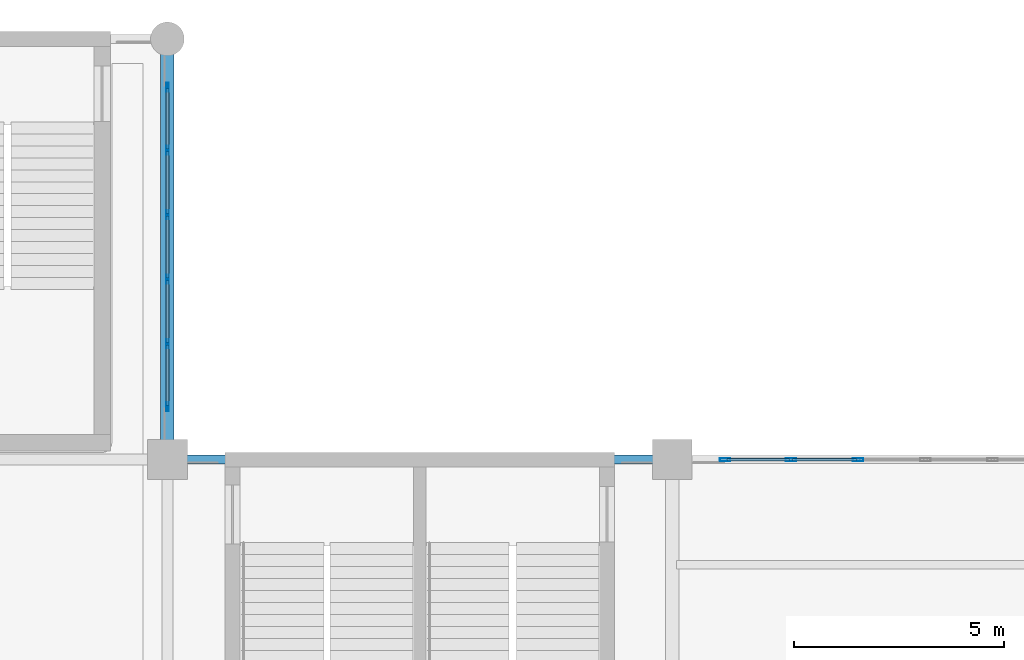
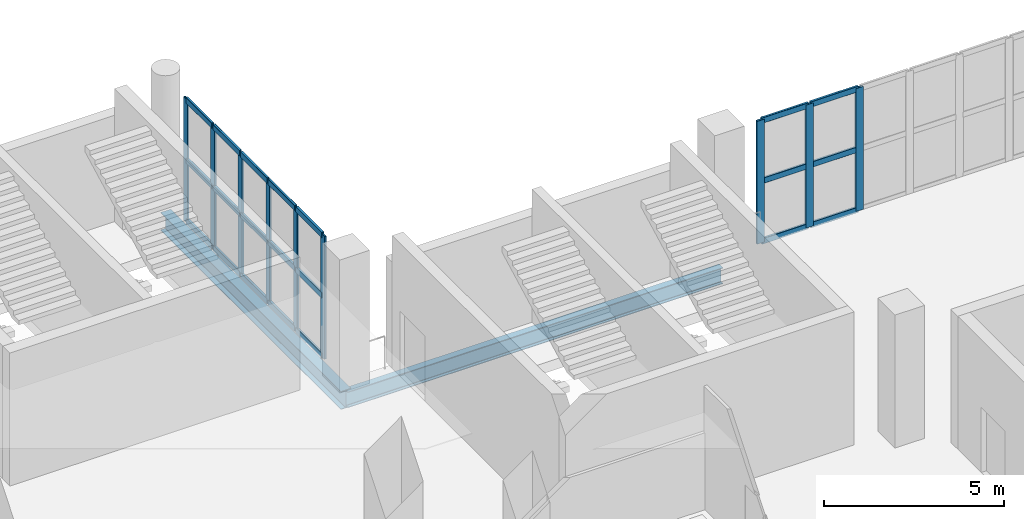
# One storey, part 46 of 90: 30 members, 2 beams, 2 elements without a shape of their own.
"""IFC4 building model written with IfcOpenShell, lengths in metres."""

from ifc_helpers import new_model, si_unit, direction, frame, origin, origin_2d, place, context, subcontext, project, spatial, hollow_rectangle, i_section, extrude, material, layer, layer_set, material_profile, profile_set, type_object, element, aggregate, save


model = new_model("IFC4")

# Units and contexts
model_context = context("Model", 3, precision=1e-05, world=origin(), true_north=direction((0.0, 1.0)))
body_context = subcontext(model_context, "Body", "Model", "MODEL_VIEW")
ifc_project = project(units=[si_unit("LENGTHUNIT", "METRE"), si_unit("AREAUNIT", "SQUARE_METRE"), si_unit("VOLUMEUNIT", "CUBIC_METRE"), si_unit("PLANEANGLEUNIT", "RADIAN"), si_unit("MASSUNIT", "GRAM", prefix="KILO")], contexts=[model_context])

# Site, building, storey
site_placement = place(None, origin())
site = spatial("IfcSite", under=ifc_project, at=site_placement, CompositionType="ELEMENT")
building_placement = place(site_placement, origin())
building = spatial("IfcBuilding", under=site, at=building_placement, Name="Brinegate Civic Arena", CompositionType="ELEMENT")
storey_placement = place(building_placement, frame((0.0, 0.0, 14.699951171875)))
storey = spatial("IfcBuildingStorey", under=building, at=storey_placement, Name="L03", CompositionType="ELEMENT", Elevation=14.699951171875)

# Curtain wall, members
ifc_material_1 = material(Name="Marine grade aluminium", Category="aluminium")
ifc_layer_1 = layer(ifc_material_1, 0.235107421875, Name="Marine grade aluminium")
ifc_layer_set_1 = layer_set([ifc_layer_1], Name="Marine grade aluminium")
curtain_wall_type_1 = type_object("IfcCurtainWallType", Name="CW-PORTAL-NORTH-01", PredefinedType="USERDEFINED", material=ifc_layer_set_1)
curtain_wall_1_placement = place(storey_placement, origin())
curtain_wall_1 = element("IfcCurtainWall", 1, at=curtain_wall_1_placement, inside=storey, type_object=curtain_wall_type_1, Name="Curtain Wall CWA-129", ObjectType="PORTAL CURTAIN WALL", PredefinedType="USERDEFINED")
ifc_material_profile_1 = material_profile(ifc_material_1, hollow_rectangle(XDim=0.06494140625, YDim=0.219970703125, WallThickness=0.006103515625, InnerFilletRadius=0.00390625, OuterFilletRadius=0.008056640625, at=origin_2d()), Name="MUL65X220")
ifc_profile_set_1 = profile_set([ifc_material_profile_1], Name="Marine grade aluminium")
member_type_1 = type_object("IfcMemberType", Name="CW-MULLION-65X220", PredefinedType="MULLION", material=ifc_profile_set_1)
member_1_placement = place(storey_placement, frame((132.0, 115.25439453125, 0.0), z_axis=(0.0, 0.0, 1.0), x_axis=(-1.0, 0.0, 0.0)))
member_1 = element("IfcMember", 2, at=member_1_placement, type_object=member_type_1, Name="CWA-129 mullion 1", PredefinedType="MULLION", context=body_context, shape_type="SweptSolid", body=[
    extrude(hollow_rectangle(XDim=0.06494140625, YDim=0.219970703125, WallThickness=0.006103515625, InnerFilletRadius=0.00390625, OuterFilletRadius=0.008056640625, at=origin_2d()), origin(), (0.0, 0.0, 1.0), 4.16015625),
])
member_2_placement = place(storey_placement, frame((132.0, 116.75439453125, 0.0), z_axis=(0.0, 0.0, 1.0), x_axis=(-1.0, 0.0, 0.0)))
member_2 = element("IfcMember", 3, at=member_2_placement, type_object=member_type_1, Name="CWA-129 mullion 2", PredefinedType="MULLION", context=body_context, shape_type="SweptSolid", body=[
    extrude(hollow_rectangle(XDim=0.06494140625, YDim=0.219970703125, WallThickness=0.006103515625, InnerFilletRadius=0.00390625, OuterFilletRadius=0.008056640625, at=origin_2d()), origin(), (0.0, 0.0, 1.0), 4.16015625),
])
member_3_placement = place(storey_placement, frame((132.0, 118.286865234375, 0.0), z_axis=(0.0, 0.0, 1.0), x_axis=(-1.0, 0.0, 0.0)))
member_3 = element("IfcMember", 4, at=member_3_placement, type_object=member_type_1, Name="CWA-129 mullion 3", PredefinedType="MULLION", context=body_context, shape_type="SweptSolid", body=[
    extrude(hollow_rectangle(XDim=0.06494140625, YDim=0.219970703125, WallThickness=0.006103515625, InnerFilletRadius=0.00390625, OuterFilletRadius=0.008056640625, at=origin_2d()), origin(), (0.0, 0.0, 1.0), 4.16015625),
])
member_4_placement = place(storey_placement, frame((132.0, 119.819091796875, 0.0), z_axis=(0.0, 0.0, 1.0), x_axis=(-1.0, 0.0, 0.0)))
member_4 = element("IfcMember", 5, at=member_4_placement, type_object=member_type_1, Name="CWA-129 mullion 4", PredefinedType="MULLION", context=body_context, shape_type="SweptSolid", body=[
    extrude(hollow_rectangle(XDim=0.06494140625, YDim=0.219970703125, WallThickness=0.006103515625, InnerFilletRadius=0.00390625, OuterFilletRadius=0.008056640625, at=origin_2d()), origin(), (0.0, 0.0, 1.0), 4.16015625),
])
member_5_placement = place(storey_placement, frame((132.0, 121.3515625, 0.0), z_axis=(0.0, 0.0, 1.0), x_axis=(-1.0, 0.0, 0.0)))
member_5 = element("IfcMember", 6, at=member_5_placement, type_object=member_type_1, Name="CWA-129 mullion 5", PredefinedType="MULLION", context=body_context, shape_type="SweptSolid", body=[
    extrude(hollow_rectangle(XDim=0.06494140625, YDim=0.219970703125, WallThickness=0.006103515625, InnerFilletRadius=0.00390625, OuterFilletRadius=0.008056640625, at=origin_2d()), origin(), (0.0, 0.0, 1.0), 4.16015625),
])
member_6_placement = place(storey_placement, frame((132.0, 122.8515625, 0.0), z_axis=(0.0, 0.0, 1.0), x_axis=(-1.0, 0.0, 0.0)))
member_6 = element("IfcMember", 7, at=member_6_placement, type_object=member_type_1, Name="CWA-129 mullion 6", PredefinedType="MULLION", context=body_context, shape_type="SweptSolid", body=[
    extrude(hollow_rectangle(XDim=0.06494140625, YDim=0.219970703125, WallThickness=0.006103515625, InnerFilletRadius=0.00390625, OuterFilletRadius=0.008056640625, at=origin_2d()), origin(), (0.0, 0.0, 1.0), 4.16015625),
])

ifc_layer_2 = layer(ifc_material_1, 0.199951171875, Name="Marine grade aluminium")
ifc_layer_set_2 = layer_set([ifc_layer_2], Name="Marine grade aluminium")
curtain_wall_type_2 = type_object("IfcCurtainWallType", Name="CW-BOWL-GLAZED-01", PredefinedType="USERDEFINED", material=ifc_layer_set_2)
curtain_wall_2_placement = place(storey_placement, origin())
curtain_wall_2 = element("IfcCurtainWall", 8, at=curtain_wall_2_placement, inside=storey, type_object=curtain_wall_type_2, Name="Curtain Wall CWA-132", ObjectType="GLAZED CURTAIN WALL", PredefinedType="USERDEFINED")
ifc_material_profile_2 = material_profile(ifc_material_1, hollow_rectangle(XDim=0.074951171875, YDim=0.25, WallThickness=0.006103515625, InnerFilletRadius=0.00390625, OuterFilletRadius=0.008056640625, at=origin_2d()), Name="MUL75X250")
ifc_profile_set_2 = profile_set([ifc_material_profile_2], Name="Marine grade aluminium")
member_type_2 = type_object("IfcMemberType", Name="CW-MULLION-75X250", PredefinedType="MULLION", material=ifc_profile_set_2)
member_7_placement = place(storey_placement, frame((145.259521484375, 114.0, 0.0), z_axis=(0.0, 0.0, 1.0), x_axis=(0.0, 1.0, 0.0)))
member_7 = element("IfcMember", 9, at=member_7_placement, type_object=member_type_2, Name="CWA-132 mullion 1", PredefinedType="MULLION", context=body_context, shape_type="SweptSolid", body=[
    extrude(hollow_rectangle(XDim=0.074951171875, YDim=0.25, WallThickness=0.006103515625, InnerFilletRadius=0.00390625, OuterFilletRadius=0.008056640625, at=origin_2d()), origin(), (0.0, 0.0, 1.0), 4.16015625),
])
member_8_placement = place(storey_placement, frame((146.820556640625, 114.0, 0.0), z_axis=(0.0, 0.0, 1.0), x_axis=(0.0, 1.0, 0.0)))
member_8 = element("IfcMember", 10, at=member_8_placement, type_object=member_type_2, Name="CWA-132 mullion 2", PredefinedType="MULLION", context=body_context, shape_type="SweptSolid", body=[
    extrude(hollow_rectangle(XDim=0.074951171875, YDim=0.25, WallThickness=0.006103515625, InnerFilletRadius=0.00390625, OuterFilletRadius=0.008056640625, at=origin_2d()), origin(), (0.0, 0.0, 1.0), 4.16015625),
])
member_9_placement = place(storey_placement, frame((148.41943359375, 114.0, 0.0), z_axis=(0.0, 0.0, 1.0), x_axis=(0.0, 1.0, 0.0)))
member_9 = element("IfcMember", 11, at=member_9_placement, type_object=member_type_2, Name="CWA-132 mullion 3", PredefinedType="MULLION", context=body_context, shape_type="SweptSolid", body=[
    extrude(hollow_rectangle(XDim=0.074951171875, YDim=0.25, WallThickness=0.006103515625, InnerFilletRadius=0.00390625, OuterFilletRadius=0.008056640625, at=origin_2d()), origin(), (0.0, 0.0, 1.0), 4.16015625),
])

# Member
ifc_material_profile_3 = material_profile(ifc_material_1, hollow_rectangle(XDim=0.074951171875, YDim=0.18994140625, WallThickness=0.006103515625, InnerFilletRadius=0.00390625, OuterFilletRadius=0.008056640625, at=origin_2d()), Name="TRN75X190")
ifc_profile_set_3 = profile_set([ifc_material_profile_3], Name="Marine grade aluminium")
member_type_3 = type_object("IfcMemberType", Name="CW-TRANSOM-75X190", PredefinedType="USERDEFINED", material=ifc_profile_set_3)
member_10_placement = place(storey_placement, frame((132.0, 115.287109375, 0.03759765625), z_axis=(0.0, 1.0, 0.0), x_axis=(-1.0, 0.0, 0.0)))
member_10 = element("IfcMember", 12, at=member_10_placement, type_object=member_type_3, Name="CWA-129 transom 1.1", ObjectType="TRANSOM", PredefinedType="USERDEFINED", context=body_context, shape_type="SweptSolid", body=[
    extrude(hollow_rectangle(XDim=0.074951171875, YDim=0.18994140625, WallThickness=0.006103515625, InnerFilletRadius=0.00390625, OuterFilletRadius=0.008056640625, at=origin_2d()), origin(), (0.0, 0.0, 1.0), 1.434814453125),
])

member_11_placement = place(storey_placement, frame((132.0, 115.287109375, 2.080078125), z_axis=(0.0, 1.0, 0.0), x_axis=(-1.0, 0.0, 0.0)))
member_11 = element("IfcMember", 13, at=member_11_placement, type_object=member_type_3, Name="CWA-129 transom 1.2", ObjectType="TRANSOM", PredefinedType="USERDEFINED", context=body_context, shape_type="SweptSolid", body=[
    extrude(hollow_rectangle(XDim=0.074951171875, YDim=0.18994140625, WallThickness=0.006103515625, InnerFilletRadius=0.00390625, OuterFilletRadius=0.008056640625, at=origin_2d()), origin(), (0.0, 0.0, 1.0), 1.434814453125),
])

member_12_placement = place(storey_placement, frame((132.0, 115.287109375, 4.12255859375), z_axis=(0.0, 1.0, 0.0), x_axis=(-1.0, 0.0, 0.0)))
member_12 = element("IfcMember", 14, at=member_12_placement, type_object=member_type_3, Name="CWA-129 transom 1.3", ObjectType="TRANSOM", PredefinedType="USERDEFINED", context=body_context, shape_type="SweptSolid", body=[
    extrude(hollow_rectangle(XDim=0.074951171875, YDim=0.18994140625, WallThickness=0.006103515625, InnerFilletRadius=0.00390625, OuterFilletRadius=0.008056640625, at=origin_2d()), origin(), (0.0, 0.0, 1.0), 1.434814453125),
])

member_13_placement = place(storey_placement, frame((132.0, 116.786865234375, 0.03759765625), z_axis=(0.0, 1.0, 0.0), x_axis=(-1.0, 0.0, 0.0)))
member_13 = element("IfcMember", 15, at=member_13_placement, type_object=member_type_3, Name="CWA-129 transom 2.1", ObjectType="TRANSOM", PredefinedType="USERDEFINED", context=body_context, shape_type="SweptSolid", body=[
    extrude(hollow_rectangle(XDim=0.074951171875, YDim=0.18994140625, WallThickness=0.006103515625, InnerFilletRadius=0.00390625, OuterFilletRadius=0.008056640625, at=origin_2d()), origin(), (0.0, 0.0, 1.0), 1.467529296875),
])

member_14_placement = place(storey_placement, frame((132.0, 116.786865234375, 2.080078125), z_axis=(0.0, 1.0, 0.0), x_axis=(-1.0, 0.0, 0.0)))
member_14 = element("IfcMember", 16, at=member_14_placement, type_object=member_type_3, Name="CWA-129 transom 2.2", ObjectType="TRANSOM", PredefinedType="USERDEFINED", context=body_context, shape_type="SweptSolid", body=[
    extrude(hollow_rectangle(XDim=0.074951171875, YDim=0.18994140625, WallThickness=0.006103515625, InnerFilletRadius=0.00390625, OuterFilletRadius=0.008056640625, at=origin_2d()), origin(), (0.0, 0.0, 1.0), 1.467529296875),
])

member_15_placement = place(storey_placement, frame((132.0, 116.786865234375, 4.12255859375), z_axis=(0.0, 1.0, 0.0), x_axis=(-1.0, 0.0, 0.0)))
member_15 = element("IfcMember", 17, at=member_15_placement, type_object=member_type_3, Name="CWA-129 transom 2.3", ObjectType="TRANSOM", PredefinedType="USERDEFINED", context=body_context, shape_type="SweptSolid", body=[
    extrude(hollow_rectangle(XDim=0.074951171875, YDim=0.18994140625, WallThickness=0.006103515625, InnerFilletRadius=0.00390625, OuterFilletRadius=0.008056640625, at=origin_2d()), origin(), (0.0, 0.0, 1.0), 1.467529296875),
])

member_16_placement = place(storey_placement, frame((132.0, 118.3193359375, 0.03759765625), z_axis=(0.0, 1.0, 0.0), x_axis=(-1.0, 0.0, 0.0)))
member_16 = element("IfcMember", 18, at=member_16_placement, type_object=member_type_3, Name="CWA-129 transom 3.1", ObjectType="TRANSOM", PredefinedType="USERDEFINED", context=body_context, shape_type="SweptSolid", body=[
    extrude(hollow_rectangle(XDim=0.074951171875, YDim=0.18994140625, WallThickness=0.006103515625, InnerFilletRadius=0.00390625, OuterFilletRadius=0.008056640625, at=origin_2d()), origin(), (0.0, 0.0, 1.0), 1.46728515625),
])

member_17_placement = place(storey_placement, frame((132.0, 118.3193359375, 2.080078125), z_axis=(0.0, 1.0, 0.0), x_axis=(-1.0, 0.0, 0.0)))
member_17 = element("IfcMember", 19, at=member_17_placement, type_object=member_type_3, Name="CWA-129 transom 3.2", ObjectType="TRANSOM", PredefinedType="USERDEFINED", context=body_context, shape_type="SweptSolid", body=[
    extrude(hollow_rectangle(XDim=0.074951171875, YDim=0.18994140625, WallThickness=0.006103515625, InnerFilletRadius=0.00390625, OuterFilletRadius=0.008056640625, at=origin_2d()), origin(), (0.0, 0.0, 1.0), 1.46728515625),
])

member_18_placement = place(storey_placement, frame((132.0, 118.3193359375, 4.12255859375), z_axis=(0.0, 1.0, 0.0), x_axis=(-1.0, 0.0, 0.0)))
member_18 = element("IfcMember", 20, at=member_18_placement, type_object=member_type_3, Name="CWA-129 transom 3.3", ObjectType="TRANSOM", PredefinedType="USERDEFINED", context=body_context, shape_type="SweptSolid", body=[
    extrude(hollow_rectangle(XDim=0.074951171875, YDim=0.18994140625, WallThickness=0.006103515625, InnerFilletRadius=0.00390625, OuterFilletRadius=0.008056640625, at=origin_2d()), origin(), (0.0, 0.0, 1.0), 1.46728515625),
])

member_19_placement = place(storey_placement, frame((132.0, 119.851806640625, 0.03759765625), z_axis=(0.0, 1.0, 0.0), x_axis=(-1.0, 0.0, 0.0)))
member_19 = element("IfcMember", 21, at=member_19_placement, type_object=member_type_3, Name="CWA-129 transom 4.1", ObjectType="TRANSOM", PredefinedType="USERDEFINED", context=body_context, shape_type="SweptSolid", body=[
    extrude(hollow_rectangle(XDim=0.074951171875, YDim=0.18994140625, WallThickness=0.006103515625, InnerFilletRadius=0.00390625, OuterFilletRadius=0.008056640625, at=origin_2d()), origin(), (0.0, 0.0, 1.0), 1.46728515625),
])

member_20_placement = place(storey_placement, frame((132.0, 119.851806640625, 2.080078125), z_axis=(0.0, 1.0, 0.0), x_axis=(-1.0, 0.0, 0.0)))
member_20 = element("IfcMember", 22, at=member_20_placement, type_object=member_type_3, Name="CWA-129 transom 4.2", ObjectType="TRANSOM", PredefinedType="USERDEFINED", context=body_context, shape_type="SweptSolid", body=[
    extrude(hollow_rectangle(XDim=0.074951171875, YDim=0.18994140625, WallThickness=0.006103515625, InnerFilletRadius=0.00390625, OuterFilletRadius=0.008056640625, at=origin_2d()), origin(), (0.0, 0.0, 1.0), 1.46728515625),
])

member_21_placement = place(storey_placement, frame((132.0, 119.851806640625, 4.12255859375), z_axis=(0.0, 1.0, 0.0), x_axis=(-1.0, 0.0, 0.0)))
member_21 = element("IfcMember", 23, at=member_21_placement, type_object=member_type_3, Name="CWA-129 transom 4.3", ObjectType="TRANSOM", PredefinedType="USERDEFINED", context=body_context, shape_type="SweptSolid", body=[
    extrude(hollow_rectangle(XDim=0.074951171875, YDim=0.18994140625, WallThickness=0.006103515625, InnerFilletRadius=0.00390625, OuterFilletRadius=0.008056640625, at=origin_2d()), origin(), (0.0, 0.0, 1.0), 1.46728515625),
])

member_22_placement = place(storey_placement, frame((132.0, 121.384033203125, 0.03759765625), z_axis=(0.0, 1.0, 0.0), x_axis=(-1.0, 0.0, 0.0)))
member_22 = element("IfcMember", 24, at=member_22_placement, type_object=member_type_3, Name="CWA-129 transom 5.1", ObjectType="TRANSOM", PredefinedType="USERDEFINED", context=body_context, shape_type="SweptSolid", body=[
    extrude(hollow_rectangle(XDim=0.074951171875, YDim=0.18994140625, WallThickness=0.006103515625, InnerFilletRadius=0.00390625, OuterFilletRadius=0.008056640625, at=origin_2d()), origin(), (0.0, 0.0, 1.0), 1.43505859375),
])

member_23_placement = place(storey_placement, frame((132.0, 121.384033203125, 2.080078125), z_axis=(0.0, 1.0, 0.0), x_axis=(-1.0, 0.0, 0.0)))
member_23 = element("IfcMember", 25, at=member_23_placement, type_object=member_type_3, Name="CWA-129 transom 5.2", ObjectType="TRANSOM", PredefinedType="USERDEFINED", context=body_context, shape_type="SweptSolid", body=[
    extrude(hollow_rectangle(XDim=0.074951171875, YDim=0.18994140625, WallThickness=0.006103515625, InnerFilletRadius=0.00390625, OuterFilletRadius=0.008056640625, at=origin_2d()), origin(), (0.0, 0.0, 1.0), 1.43505859375),
])

member_24_placement = place(storey_placement, frame((132.0, 121.384033203125, 4.12255859375), z_axis=(0.0, 1.0, 0.0), x_axis=(-1.0, 0.0, 0.0)))
member_24 = element("IfcMember", 26, at=member_24_placement, type_object=member_type_3, Name="CWA-129 transom 5.3", ObjectType="TRANSOM", PredefinedType="USERDEFINED", context=body_context, shape_type="SweptSolid", body=[
    extrude(hollow_rectangle(XDim=0.074951171875, YDim=0.18994140625, WallThickness=0.006103515625, InnerFilletRadius=0.00390625, OuterFilletRadius=0.008056640625, at=origin_2d()), origin(), (0.0, 0.0, 1.0), 1.43505859375),
])

aggregate(curtain_wall_1, [member_1, member_2, member_3, member_4, member_5, member_6, member_10, member_11, member_12, member_13, member_14, member_15, member_16, member_17, member_18, member_19, member_20, member_21, member_22, member_23, member_24])

member_25_placement = place(storey_placement, frame((145.297119140625, 114.0, 0.03759765625), z_axis=(1.0, 0.0, 0.0), x_axis=(0.0, 1.0, 0.0)))
member_25 = element("IfcMember", 27, at=member_25_placement, type_object=member_type_3, Name="CWA-132 transom 1.1", ObjectType="TRANSOM", PredefinedType="USERDEFINED", context=body_context, shape_type="SweptSolid", body=[
    extrude(hollow_rectangle(XDim=0.074951171875, YDim=0.18994140625, WallThickness=0.006103515625, InnerFilletRadius=0.00390625, OuterFilletRadius=0.008056640625, at=origin_2d()), origin(), (0.0, 0.0, 1.0), 1.486083984375),
])

member_26_placement = place(storey_placement, frame((145.297119140625, 114.0, 2.080078125), z_axis=(1.0, 0.0, 0.0), x_axis=(0.0, 1.0, 0.0)))
member_26 = element("IfcMember", 28, at=member_26_placement, type_object=member_type_3, Name="CWA-132 transom 1.2", ObjectType="TRANSOM", PredefinedType="USERDEFINED", context=body_context, shape_type="SweptSolid", body=[
    extrude(hollow_rectangle(XDim=0.074951171875, YDim=0.18994140625, WallThickness=0.006103515625, InnerFilletRadius=0.00390625, OuterFilletRadius=0.008056640625, at=origin_2d()), origin(), (0.0, 0.0, 1.0), 1.486083984375),
])

member_27_placement = place(storey_placement, frame((145.297119140625, 114.0, 4.12255859375), z_axis=(1.0, 0.0, 0.0), x_axis=(0.0, 1.0, 0.0)))
member_27 = element("IfcMember", 29, at=member_27_placement, type_object=member_type_3, Name="CWA-132 transom 1.3", ObjectType="TRANSOM", PredefinedType="USERDEFINED", context=body_context, shape_type="SweptSolid", body=[
    extrude(hollow_rectangle(XDim=0.074951171875, YDim=0.18994140625, WallThickness=0.006103515625, InnerFilletRadius=0.00390625, OuterFilletRadius=0.008056640625, at=origin_2d()), origin(), (0.0, 0.0, 1.0), 1.486083984375),
])

member_28_placement = place(storey_placement, frame((146.858154296875, 114.0, 0.03759765625), z_axis=(1.0, 0.0, 0.0), x_axis=(0.0, 1.0, 0.0)))
member_28 = element("IfcMember", 30, at=member_28_placement, type_object=member_type_3, Name="CWA-132 transom 2.1", ObjectType="TRANSOM", PredefinedType="USERDEFINED", context=body_context, shape_type="SweptSolid", body=[
    extrude(hollow_rectangle(XDim=0.074951171875, YDim=0.18994140625, WallThickness=0.006103515625, InnerFilletRadius=0.00390625, OuterFilletRadius=0.008056640625, at=origin_2d()), origin(), (0.0, 0.0, 1.0), 1.523681640625),
])

member_29_placement = place(storey_placement, frame((146.858154296875, 114.0, 2.080078125), z_axis=(1.0, 0.0, 0.0), x_axis=(0.0, 1.0, 0.0)))
member_29 = element("IfcMember", 31, at=member_29_placement, type_object=member_type_3, Name="CWA-132 transom 2.2", ObjectType="TRANSOM", PredefinedType="USERDEFINED", context=body_context, shape_type="SweptSolid", body=[
    extrude(hollow_rectangle(XDim=0.074951171875, YDim=0.18994140625, WallThickness=0.006103515625, InnerFilletRadius=0.00390625, OuterFilletRadius=0.008056640625, at=origin_2d()), origin(), (0.0, 0.0, 1.0), 1.523681640625),
])

member_30_placement = place(storey_placement, frame((146.858154296875, 114.0, 4.12255859375), z_axis=(1.0, 0.0, 0.0), x_axis=(0.0, 1.0, 0.0)))
member_30 = element("IfcMember", 32, at=member_30_placement, type_object=member_type_3, Name="CWA-132 transom 2.3", ObjectType="TRANSOM", PredefinedType="USERDEFINED", context=body_context, shape_type="SweptSolid", body=[
    extrude(hollow_rectangle(XDim=0.074951171875, YDim=0.18994140625, WallThickness=0.006103515625, InnerFilletRadius=0.00390625, OuterFilletRadius=0.008056640625, at=origin_2d()), origin(), (0.0, 0.0, 1.0), 1.523681640625),
])

aggregate(curtain_wall_2, [member_7, member_8, member_9, member_25, member_26, member_27, member_28, member_29, member_30])

# Beams
ifc_material_2 = material(Name="Steel S355", Category="steel")
ifc_material_profile_4 = material_profile(ifc_material_2, i_section(OverallWidth=0.323974609375, OverallDepth=0.611083984375, WebThickness=0.012939453125, FlangeThickness=0.01904296875, FilletRadius=0.01611328125, at=origin_2d()), Name="W610X155")
ifc_profile_set_4 = profile_set([ifc_material_profile_4], Name="Steel S355")
beam_type_1 = type_object("IfcBeamType", Name="GIRDER-W610X155", PredefinedType="BEAM", material=ifc_profile_set_4)
beam_1_placement = place(storey_placement, frame((132.0, 114.0, -0.655029296875), z_axis=(0.0, 1.0, 0.0), x_axis=(-1.0, 0.0, 0.0)))
element("IfcBeam", 33, at=beam_1_placement, inside=storey, type_object=beam_type_1, Name="Floor Girder BM-L03-GY-11-11", PredefinedType="BEAM", context=body_context, shape_type="SweptSolid", body=[
    extrude(i_section(OverallWidth=0.323974609375, OverallDepth=0.611083984375, WebThickness=0.012939453125, FlangeThickness=0.01904296875, FilletRadius=0.01611328125, at=origin_2d()), origin(), (0.0, 0.0, 1.0), 10.0),
])
ifc_material_profile_5 = material_profile(ifc_material_2, i_section(OverallWidth=0.2119140625, OverallDepth=0.5439453125, WebThickness=0.012939453125, FlangeThickness=0.02099609375, FilletRadius=0.01611328125, at=origin_2d()), Name="W530X123")
ifc_profile_set_5 = profile_set([ifc_material_profile_5], Name="Steel S355")
beam_type_2 = type_object("IfcBeamType", Name="SPANDREL-W530X123", PredefinedType="SPANDREL", material=ifc_profile_set_5)
beam_2_placement = place(storey_placement, frame((132.0, 114.0, -0.6220703125), z_axis=(1.0, 0.0, 0.0), x_axis=(0.0, 1.0, 0.0)))
element("IfcBeam", 34, at=beam_2_placement, inside=storey, type_object=beam_type_2, Name="Floor Girder BM-L03-GX-11-11", PredefinedType="SPANDREL", context=body_context, shape_type="SweptSolid", body=[
    extrude(i_section(OverallWidth=0.2119140625, OverallDepth=0.5439453125, WebThickness=0.012939453125, FlangeThickness=0.02099609375, FilletRadius=0.01611328125, at=origin_2d()), origin(), (0.0, 0.0, 1.0), 12.0),
])

save(model, "model.ifc")
